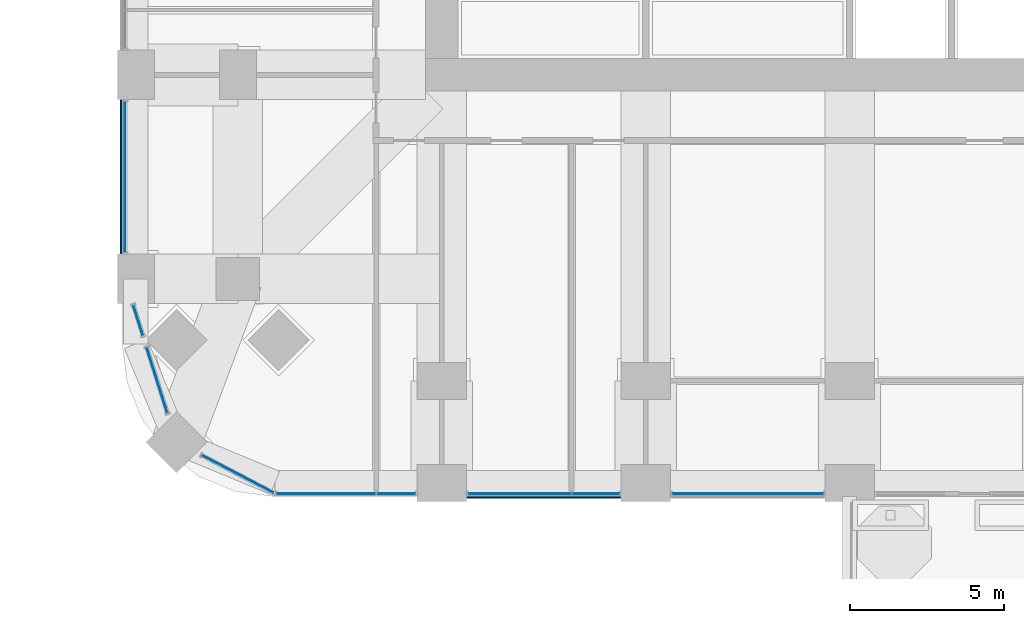
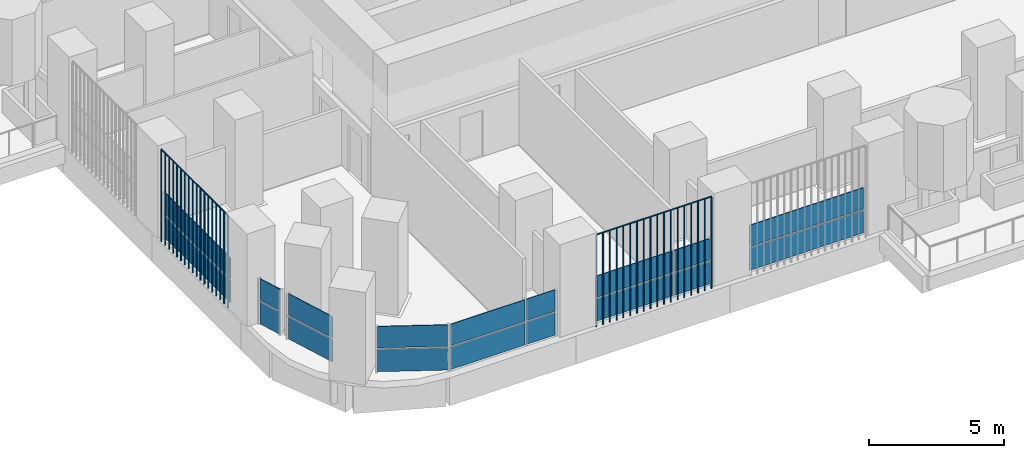
# One storey, part 9 of 22: 20 plates, 7 elements without a shape of their own.
"""IFC4 building model written with IfcOpenShell, lengths in metres."""

from ifc_helpers import new_model, si_unit, direction, frame, origin, origin_2d, place, context, subcontext, project, spatial, polyline, rectangle, outline, extrude, material, layer, layer_set, type_object, element, aggregate, save


model = new_model("IFC4")

# Units and contexts
model_context = context("Model", 3, precision=1e-05, world=origin(), true_north=direction((0.0, 1.0)))
body_context = subcontext(model_context, "Body", "Model", "MODEL_VIEW")
ifc_project = project(units=[si_unit("LENGTHUNIT", "METRE"), si_unit("AREAUNIT", "SQUARE_METRE"), si_unit("VOLUMEUNIT", "CUBIC_METRE"), si_unit("PLANEANGLEUNIT", "RADIAN"), si_unit("MASSUNIT", "GRAM", prefix="KILO")], contexts=[model_context])

# Site, building, storey
site_placement = place(None, origin())
site = spatial("IfcSite", under=ifc_project, at=site_placement, CompositionType="ELEMENT")
building_placement = place(site_placement, origin())
building = spatial("IfcBuilding", under=site, at=building_placement, Name="Cobogo Forest Laboratory Tower", CompositionType="ELEMENT")
storey_placement = place(building_placement, frame((0.0, 0.0, 145.199951171875)))
storey = spatial("IfcBuildingStorey", under=building, at=storey_placement, Name="L33", CompositionType="ELEMENT", Elevation=145.199951171875)

# Curtain wall, plates
ifc_material_1 = material(Name="Aluminium curtain wall", Category="aluminium")
curtain_wall_type = type_object("IfcCurtainWallType", Name="CW-1 unitised curtain wall, clear glazing, laboratory floors zones A and B", PredefinedType="USERDEFINED", material=ifc_material_1)
curtain_wall_1_placement = place(storey_placement, origin())
curtain_wall_1 = element("IfcCurtainWall", 1, at=curtain_wall_1_placement, inside=storey, type_object=curtain_wall_type, Name="Curtain wall 01 L33", ObjectType="UNITISED CURTAIN WALL", PredefinedType="USERDEFINED")
ifc_material_2 = material(Name="Clear insulated glass", Category="glass")
ifc_layer = layer(ifc_material_2, 0.028076171875)
ifc_layer_set = layer_set([ifc_layer], Name="GP-1 clear insulated glass unit 28")
plate_type_1 = type_object("IfcPlateType", Name="GP-1 clear insulated glass unit 28", PredefinedType="CURTAIN_PANEL", material=ifc_layer_set)
plate_1_placement = place(storey_placement, frame((9.452392578125, -0.35009765625, 0.0), z_axis=(0.0, 0.0, 1.0), x_axis=(1.0, 0.0, 0.0)))
plate_1 = element("IfcPlate", 2, at=plate_1_placement, type_object=plate_type_1, Name="CW-1 panel 1.1", PredefinedType="CURTAIN_PANEL", context=body_context, shape_type="SweptSolid", body=[
    extrude(rectangle(XDim=3.18505859375, YDim=0.028076171875, at=origin_2d()), origin(), (0.0, 0.0, 1.0), 1.02001953125),
])
plate_2_placement = place(storey_placement, frame((9.452392578125, -0.35009765625, 1.080078125), z_axis=(0.0, 0.0, 1.0), x_axis=(1.0, 0.0, 0.0)))
plate_2 = element("IfcPlate", 3, at=plate_2_placement, type_object=plate_type_1, Name="CW-1 panel 1.2", PredefinedType="CURTAIN_PANEL", context=body_context, shape_type="SweptSolid", body=[
    extrude(rectangle(XDim=3.18505859375, YDim=0.028076171875, at=origin_2d()), origin(), (0.0, 0.0, 1.0), 0.969970703125),
])
plate_3_placement = place(storey_placement, frame((11.722412109375, -0.35009765625, 0.0), z_axis=(0.0, 0.0, 1.0), x_axis=(1.0, 0.0, 0.0)))
plate_3 = element("IfcPlate", 4, at=plate_3_placement, type_object=plate_type_1, Name="CW-1 panel 2.1", PredefinedType="CURTAIN_PANEL", context=body_context, shape_type="SweptSolid", body=[
    extrude(rectangle(XDim=1.235107421875, YDim=0.028076171875, at=origin_2d()), origin(), (0.0, 0.0, 1.0), 1.02001953125),
])
plate_4_placement = place(storey_placement, frame((11.722412109375, -0.35009765625, 1.080078125), z_axis=(0.0, 0.0, 1.0), x_axis=(1.0, 0.0, 0.0)))
plate_4 = element("IfcPlate", 5, at=plate_4_placement, type_object=plate_type_1, Name="CW-1 panel 2.2", PredefinedType="CURTAIN_PANEL", context=body_context, shape_type="SweptSolid", body=[
    extrude(rectangle(XDim=1.235107421875, YDim=0.028076171875, at=origin_2d()), origin(), (0.0, 0.0, 1.0), 0.969970703125),
])
aggregate(curtain_wall_1, [plate_1, plate_2, plate_3, plate_4])

curtain_wall_2_placement = place(storey_placement, origin())
curtain_wall_2 = element("IfcCurtainWall", 6, at=curtain_wall_2_placement, inside=storey, type_object=curtain_wall_type, Name="Curtain wall 02 L33", ObjectType="UNITISED CURTAIN WALL", PredefinedType="USERDEFINED")
plate_5_placement = place(storey_placement, frame((15.715087890625, -0.35009765625, 0.0), z_axis=(0.0, 0.0, 1.0), x_axis=(1.0, 0.0, 0.0)))
plate_5 = element("IfcPlate", 7, at=plate_5_placement, type_object=plate_type_1, Name="CW-1 panel 1.1", PredefinedType="CURTAIN_PANEL", context=body_context, shape_type="SweptSolid", body=[
    extrude(rectangle(XDim=3.31005859375, YDim=0.028076171875, at=origin_2d()), origin(), (0.0, 0.0, 1.0), 1.02001953125),
])
plate_6_placement = place(storey_placement, frame((15.715087890625, -0.35009765625, 1.080078125), z_axis=(0.0, 0.0, 1.0), x_axis=(1.0, 0.0, 0.0)))
plate_6 = element("IfcPlate", 8, at=plate_6_placement, type_object=plate_type_1, Name="CW-1 panel 1.2", PredefinedType="CURTAIN_PANEL", context=body_context, shape_type="SweptSolid", body=[
    extrude(rectangle(XDim=3.31005859375, YDim=0.028076171875, at=origin_2d()), origin(), (0.0, 0.0, 1.0), 0.969970703125),
])
plate_7_placement = place(storey_placement, frame((18.18505859375, -0.35009765625, 0.0), z_axis=(0.0, 0.0, 1.0), x_axis=(1.0, 0.0, 0.0)))
plate_7 = element("IfcPlate", 9, at=plate_7_placement, type_object=plate_type_1, Name="CW-1 panel 2.1", PredefinedType="CURTAIN_PANEL", context=body_context, shape_type="SweptSolid", body=[
    extrude(rectangle(XDim=1.510009765625, YDim=0.028076171875, at=origin_2d()), origin(), (0.0, 0.0, 1.0), 1.02001953125),
])
plate_8_placement = place(storey_placement, frame((18.18505859375, -0.35009765625, 1.080078125), z_axis=(0.0, 0.0, 1.0), x_axis=(1.0, 0.0, 0.0)))
plate_8 = element("IfcPlate", 10, at=plate_8_placement, type_object=plate_type_1, Name="CW-1 panel 2.2", PredefinedType="CURTAIN_PANEL", context=body_context, shape_type="SweptSolid", body=[
    extrude(rectangle(XDim=1.510009765625, YDim=0.028076171875, at=origin_2d()), origin(), (0.0, 0.0, 1.0), 0.969970703125),
])
aggregate(curtain_wall_2, [plate_5, plate_6, plate_7, plate_8])

curtain_wall_3_placement = place(storey_placement, origin())
curtain_wall_3 = element("IfcCurtainWall", 11, at=curtain_wall_3_placement, inside=storey, type_object=curtain_wall_type, Name="Curtain wall 03 L33", ObjectType="UNITISED CURTAIN WALL", PredefinedType="USERDEFINED")
plate_9_placement = place(storey_placement, frame((23.10009765625, -0.35009765625, 0.0), z_axis=(0.0, 0.0, 1.0), x_axis=(1.0, 0.0, 0.0)))
plate_9 = element("IfcPlate", 12, at=plate_9_placement, type_object=plate_type_1, Name="CW-1 panel 1.1", PredefinedType="CURTAIN_PANEL", context=body_context, shape_type="SweptSolid", body=[
    extrude(rectangle(XDim=4.8798828125, YDim=0.028076171875, at=origin_2d()), origin(), (0.0, 0.0, 1.0), 1.02001953125),
])
plate_10_placement = place(storey_placement, frame((23.10009765625, -0.35009765625, 1.080078125), z_axis=(0.0, 0.0, 1.0), x_axis=(1.0, 0.0, 0.0)))
plate_10 = element("IfcPlate", 13, at=plate_10_placement, type_object=plate_type_1, Name="CW-1 panel 1.2", PredefinedType="CURTAIN_PANEL", context=body_context, shape_type="SweptSolid", body=[
    extrude(rectangle(XDim=4.8798828125, YDim=0.028076171875, at=origin_2d()), origin(), (0.0, 0.0, 1.0), 0.969970703125),
])
aggregate(curtain_wall_3, [plate_9, plate_10])

curtain_wall_4_placement = place(storey_placement, origin())
curtain_wall_4 = element("IfcCurtainWall", 14, at=curtain_wall_4_placement, inside=storey, type_object=curtain_wall_type, Name="Curtain wall 31 L33", ObjectType="UNITISED CURTAIN WALL", PredefinedType="USERDEFINED")
plate_11_placement = place(storey_placement, frame((2.949951171875, 9.89990234375, 0.0), z_axis=(0.0, 0.0, 1.0), x_axis=(0.0, -1.0, 0.0)))
plate_11 = element("IfcPlate", 15, at=plate_11_placement, type_object=plate_type_1, Name="CW-1 panel 1.1", PredefinedType="CURTAIN_PANEL", context=body_context, shape_type="SweptSolid", body=[
    extrude(rectangle(XDim=4.8798828125, YDim=0.028076171875, at=origin_2d()), origin(), (0.0, 0.0, 1.0), 1.02001953125),
])
plate_12_placement = place(storey_placement, frame((2.949951171875, 9.89990234375, 1.080078125), z_axis=(0.0, 0.0, 1.0), x_axis=(0.0, -1.0, 0.0)))
plate_12 = element("IfcPlate", 16, at=plate_12_placement, type_object=plate_type_1, Name="CW-1 panel 1.2", PredefinedType="CURTAIN_PANEL", context=body_context, shape_type="SweptSolid", body=[
    extrude(rectangle(XDim=4.8798828125, YDim=0.028076171875, at=origin_2d()), origin(), (0.0, 0.0, 1.0), 0.969970703125),
])
aggregate(curtain_wall_4, [plate_11, plate_12])

curtain_wall_5_placement = place(storey_placement, origin())
curtain_wall_5 = element("IfcCurtainWall", 17, at=curtain_wall_5_placement, inside=storey, type_object=curtain_wall_type, Name="Curtain wall 32 L33", ObjectType="UNITISED CURTAIN WALL", PredefinedType="USERDEFINED")
plate_13_placement = place(storey_placement, frame((3.37353515625, 5.259033203125, 0.0), z_axis=(0.0, 0.0, 1.0), x_axis=(0.3011355018, -0.953581359694, 0.0)))
plate_13 = element("IfcPlate", 18, at=plate_13_placement, type_object=plate_type_1, Name="CW-1 panel 1.1", PredefinedType="CURTAIN_PANEL", context=body_context, shape_type="SweptSolid", body=[
    extrude(rectangle(XDim=1.0146484375, YDim=0.028076171875, at=origin_2d()), origin(), (0.0, 0.0, 1.0), 1.02001953125),
])
plate_14_placement = place(storey_placement, frame((3.37353515625, 5.259033203125, 1.080078125), z_axis=(0.0, 0.0, 1.0), x_axis=(0.3011355018, -0.953581359694, 0.0)))
plate_14 = element("IfcPlate", 19, at=plate_14_placement, type_object=plate_type_1, Name="CW-1 panel 1.2", PredefinedType="CURTAIN_PANEL", context=body_context, shape_type="SweptSolid", body=[
    extrude(rectangle(XDim=1.0146484375, YDim=0.028076171875, at=origin_2d()), origin(), (0.0, 0.0, 1.0), 0.969970703125),
])
aggregate(curtain_wall_5, [plate_13, plate_14])

curtain_wall_6_placement = place(storey_placement, origin())
curtain_wall_6 = element("IfcCurtainWall", 20, at=curtain_wall_6_placement, inside=storey, type_object=curtain_wall_type, Name="Curtain wall 33 L33", ObjectType="UNITISED CURTAIN WALL", PredefinedType="USERDEFINED")
plate_15_placement = place(storey_placement, frame((3.986572265625, 3.31787109375, 0.0), z_axis=(0.0, 0.0, 1.0), x_axis=(0.301135343623, -0.953581409645, 0.0)))
plate_15 = element("IfcPlate", 21, at=plate_15_placement, type_object=plate_type_1, Name="CW-1 panel 1.1", PredefinedType="CURTAIN_PANEL", context=body_context, shape_type="SweptSolid", body=[
    extrude(rectangle(XDim=2.203369140625, YDim=0.028076171875, at=origin_2d()), origin(), (0.0, 0.0, 1.0), 1.02001953125),
])
plate_16_placement = place(storey_placement, frame((3.986572265625, 3.31787109375, 1.080078125), z_axis=(0.0, 0.0, 1.0), x_axis=(0.301135343623, -0.953581409645, 0.0)))
plate_16 = element("IfcPlate", 22, at=plate_16_placement, type_object=plate_type_1, Name="CW-1 panel 1.2", PredefinedType="CURTAIN_PANEL", context=body_context, shape_type="SweptSolid", body=[
    extrude(rectangle(XDim=2.203369140625, YDim=0.028076171875, at=origin_2d()), origin(), (0.0, 0.0, 1.0), 0.969970703125),
])
aggregate(curtain_wall_6, [plate_15, plate_16])

curtain_wall_7_placement = place(storey_placement, origin())
curtain_wall_7 = element("IfcCurtainWall", 23, at=curtain_wall_7_placement, inside=storey, type_object=curtain_wall_type, Name="Curtain wall 34 L33", ObjectType="UNITISED CURTAIN WALL", PredefinedType="USERDEFINED")
plate_17_placement = place(storey_placement, frame((6.593994140625, 0.2822265625, 0.0), z_axis=(0.0, 0.0, 1.0), x_axis=(0.885686540666, -0.464283697413, 0.0)))
plate_17 = element("IfcPlate", 24, at=plate_17_placement, type_object=plate_type_1, Name="CW-1 panel 1.1", PredefinedType="CURTAIN_PANEL", context=body_context, shape_type="SweptSolid", body=[
    extrude(rectangle(XDim=2.603271484375, YDim=0.028076171875, at=origin_2d()), origin(), (0.0, 0.0, 1.0), 1.02001953125),
])
plate_18_placement = place(storey_placement, frame((6.593994140625, 0.2822265625, 1.080078125), z_axis=(0.0, 0.0, 1.0), x_axis=(0.885686540666, -0.464283697413, 0.0)))
plate_18 = element("IfcPlate", 25, at=plate_18_placement, type_object=plate_type_1, Name="CW-1 panel 1.2", PredefinedType="CURTAIN_PANEL", context=body_context, shape_type="SweptSolid", body=[
    extrude(rectangle(XDim=2.603271484375, YDim=0.028076171875, at=origin_2d()), origin(), (0.0, 0.0, 1.0), 0.969970703125),
])
aggregate(curtain_wall_7, [plate_17, plate_18])

# Plates
ifc_material_3 = material(Name="Terracotta", Category="masonry")
plate_type_2 = type_object("IfcPlateType", Name="TB1 terracotta baguette screen", PredefinedType="USERDEFINED", material=ifc_material_3)
plate_19_placement = place(storey_placement, frame((14.03125, -0.477783203125, -0.14990234375)))
element("IfcPlate", 26, at=plate_19_placement, inside=storey, type_object=plate_type_2, Name="Baguette screen S1 L33", ObjectType="BAGUETTE SCREEN", PredefinedType="USERDEFINED", context=body_context, shape_type="SweptSolid", body=[
    extrude(outline(polyline([(0.02880859375, 0.011962890625), (0.011962890625, 0.02880859375), (-0.011962890625, 0.02880859375), (-0.02880859375, 0.011962890625), (-0.02880859375, -0.011962890625), (-0.011962890625, -0.02880859375), (0.011962890625, -0.02880859375), (0.02880859375, -0.011962890625), (0.02880859375, 0.011962890625)])), frame((0.0, 0.0, 4.168701171875), z_axis=(1.0, 0.0, 0.0), x_axis=(0.0, 1.0, 0.0)), (0.0, 0.0, 1.0), 4.9375),
    extrude(outline(polyline([(0.02880859375, 0.011962890625), (0.011962890625, 0.02880859375), (-0.011962890625, 0.02880859375), (-0.02880859375, 0.011962890625), (-0.02880859375, -0.011962890625), (-0.011962890625, -0.02880859375), (0.011962890625, -0.02880859375), (0.02880859375, -0.011962890625), (0.02880859375, 0.011962890625)])), origin(), (0.0, 0.0, 1.0), 4.137451171875),
    extrude(outline(polyline([(0.02880859375, 0.011962890625), (0.011962890625, 0.02880859375), (-0.011962890625, 0.02880859375), (-0.02880859375, 0.011962890625), (-0.02880859375, -0.011962890625), (-0.011962890625, -0.02880859375), (0.011962890625, -0.02880859375), (0.02880859375, -0.011962890625), (0.02880859375, 0.011962890625)])), frame((0.29052734375, 0.0, 0.0)), (0.0, 0.0, 1.0), 4.137451171875),
    extrude(outline(polyline([(0.02880859375, 0.011962890625), (0.011962890625, 0.02880859375), (-0.011962890625, 0.02880859375), (-0.02880859375, 0.011962890625), (-0.02880859375, -0.011962890625), (-0.011962890625, -0.02880859375), (0.011962890625, -0.02880859375), (0.02880859375, -0.011962890625), (0.02880859375, 0.011962890625)])), frame((0.580810546875, 0.0, 0.0)), (0.0, 0.0, 1.0), 4.137451171875),
    extrude(outline(polyline([(0.02880859375, 0.011962890625), (0.011962890625, 0.02880859375), (-0.011962890625, 0.02880859375), (-0.02880859375, 0.011962890625), (-0.02880859375, -0.011962890625), (-0.011962890625, -0.02880859375), (0.011962890625, -0.02880859375), (0.02880859375, -0.011962890625), (0.02880859375, 0.011962890625)])), frame((0.871337890625, 0.0, 0.0)), (0.0, 0.0, 1.0), 4.137451171875),
    extrude(outline(polyline([(0.02880859375, 0.011962890625), (0.011962890625, 0.02880859375), (-0.011962890625, 0.02880859375), (-0.02880859375, 0.011962890625), (-0.02880859375, -0.011962890625), (-0.011962890625, -0.02880859375), (0.011962890625, -0.02880859375), (0.02880859375, -0.011962890625), (0.02880859375, 0.011962890625)])), frame((1.161865234375, 0.0, 0.0)), (0.0, 0.0, 1.0), 4.137451171875),
    extrude(outline(polyline([(0.02880859375, 0.011962890625), (0.011962890625, 0.02880859375), (-0.011962890625, 0.02880859375), (-0.02880859375, 0.011962890625), (-0.02880859375, -0.011962890625), (-0.011962890625, -0.02880859375), (0.011962890625, -0.02880859375), (0.02880859375, -0.011962890625), (0.02880859375, 0.011962890625)])), frame((1.4521484375, 0.0, 0.0)), (0.0, 0.0, 1.0), 4.137451171875),
    extrude(outline(polyline([(0.02880859375, 0.011962890625), (0.011962890625, 0.02880859375), (-0.011962890625, 0.02880859375), (-0.02880859375, 0.011962890625), (-0.02880859375, -0.011962890625), (-0.011962890625, -0.02880859375), (0.011962890625, -0.02880859375), (0.02880859375, -0.011962890625), (0.02880859375, 0.011962890625)])), frame((1.74267578125, 0.0, 0.0)), (0.0, 0.0, 1.0), 4.137451171875),
    extrude(outline(polyline([(0.02880859375, 0.011962890625), (0.011962890625, 0.02880859375), (-0.011962890625, 0.02880859375), (-0.02880859375, 0.011962890625), (-0.02880859375, -0.011962890625), (-0.011962890625, -0.02880859375), (0.011962890625, -0.02880859375), (0.02880859375, -0.011962890625), (0.02880859375, 0.011962890625)])), frame((2.033203125, 0.0, 0.0)), (0.0, 0.0, 1.0), 4.137451171875),
    extrude(outline(polyline([(0.02880859375, 0.011962890625), (0.011962890625, 0.02880859375), (-0.011962890625, 0.02880859375), (-0.02880859375, 0.011962890625), (-0.02880859375, -0.011962890625), (-0.011962890625, -0.02880859375), (0.011962890625, -0.02880859375), (0.02880859375, -0.011962890625), (0.02880859375, 0.011962890625)])), frame((2.323486328125, 0.0, 0.0)), (0.0, 0.0, 1.0), 4.137451171875),
    extrude(outline(polyline([(0.02880859375, 0.011962890625), (0.011962890625, 0.02880859375), (-0.011962890625, 0.02880859375), (-0.02880859375, 0.011962890625), (-0.02880859375, -0.011962890625), (-0.011962890625, -0.02880859375), (0.011962890625, -0.02880859375), (0.02880859375, -0.011962890625), (0.02880859375, 0.011962890625)])), frame((2.614013671875, 0.0, 0.0)), (0.0, 0.0, 1.0), 4.137451171875),
    extrude(outline(polyline([(0.02880859375, 0.011962890625), (0.011962890625, 0.02880859375), (-0.011962890625, 0.02880859375), (-0.02880859375, 0.011962890625), (-0.02880859375, -0.011962890625), (-0.011962890625, -0.02880859375), (0.011962890625, -0.02880859375), (0.02880859375, -0.011962890625), (0.02880859375, 0.011962890625)])), frame((2.904296875, 0.0, 0.0)), (0.0, 0.0, 1.0), 4.137451171875),
    extrude(outline(polyline([(0.02880859375, 0.011962890625), (0.011962890625, 0.02880859375), (-0.011962890625, 0.02880859375), (-0.02880859375, 0.011962890625), (-0.02880859375, -0.011962890625), (-0.011962890625, -0.02880859375), (0.011962890625, -0.02880859375), (0.02880859375, -0.011962890625), (0.02880859375, 0.011962890625)])), frame((3.19482421875, 0.0, 0.0)), (0.0, 0.0, 1.0), 4.137451171875),
    extrude(outline(polyline([(0.02880859375, 0.011962890625), (0.011962890625, 0.02880859375), (-0.011962890625, 0.02880859375), (-0.02880859375, 0.011962890625), (-0.02880859375, -0.011962890625), (-0.011962890625, -0.02880859375), (0.011962890625, -0.02880859375), (0.02880859375, -0.011962890625), (0.02880859375, 0.011962890625)])), frame((3.4853515625, 0.0, 0.0)), (0.0, 0.0, 1.0), 4.137451171875),
    extrude(outline(polyline([(0.02880859375, 0.011962890625), (0.011962890625, 0.02880859375), (-0.011962890625, 0.02880859375), (-0.02880859375, 0.011962890625), (-0.02880859375, -0.011962890625), (-0.011962890625, -0.02880859375), (0.011962890625, -0.02880859375), (0.02880859375, -0.011962890625), (0.02880859375, 0.011962890625)])), frame((3.775634765625, 0.0, 0.0)), (0.0, 0.0, 1.0), 4.137451171875),
    extrude(outline(polyline([(0.02880859375, 0.011962890625), (0.011962890625, 0.02880859375), (-0.011962890625, 0.02880859375), (-0.02880859375, 0.011962890625), (-0.02880859375, -0.011962890625), (-0.011962890625, -0.02880859375), (0.011962890625, -0.02880859375), (0.02880859375, -0.011962890625), (0.02880859375, 0.011962890625)])), frame((4.066162109375, 0.0, 0.0)), (0.0, 0.0, 1.0), 4.137451171875),
    extrude(outline(polyline([(0.02880859375, 0.011962890625), (0.011962890625, 0.02880859375), (-0.011962890625, 0.02880859375), (-0.02880859375, 0.011962890625), (-0.02880859375, -0.011962890625), (-0.011962890625, -0.02880859375), (0.011962890625, -0.02880859375), (0.02880859375, -0.011962890625), (0.02880859375, 0.011962890625)])), frame((4.356689453125, 0.0, 0.0)), (0.0, 0.0, 1.0), 4.137451171875),
    extrude(outline(polyline([(0.02880859375, 0.011962890625), (0.011962890625, 0.02880859375), (-0.011962890625, 0.02880859375), (-0.02880859375, 0.011962890625), (-0.02880859375, -0.011962890625), (-0.011962890625, -0.02880859375), (0.011962890625, -0.02880859375), (0.02880859375, -0.011962890625), (0.02880859375, 0.011962890625)])), frame((4.64697265625, 0.0, 0.0)), (0.0, 0.0, 1.0), 4.137451171875),
    extrude(outline(polyline([(0.02880859375, 0.011962890625), (0.011962890625, 0.02880859375), (-0.011962890625, 0.02880859375), (-0.02880859375, 0.011962890625), (-0.02880859375, -0.011962890625), (-0.011962890625, -0.02880859375), (0.011962890625, -0.02880859375), (0.02880859375, -0.011962890625), (0.02880859375, 0.011962890625)])), frame((4.9375, 0.0, 0.0)), (0.0, 0.0, 1.0), 4.137451171875),
])
plate_20_placement = place(storey_placement, frame((2.822021484375, 7.43115234375, -0.14990234375)))
element("IfcPlate", 27, at=plate_20_placement, inside=storey, type_object=plate_type_2, Name="Baguette screen W1 L33", ObjectType="BAGUETTE SCREEN", PredefinedType="USERDEFINED", context=body_context, shape_type="SweptSolid", body=[
    extrude(outline(polyline([(0.02880859375, 0.011962890625), (0.011962890625, 0.02880859375), (-0.011962890625, 0.02880859375), (-0.02880859375, 0.011962890625), (-0.02880859375, -0.011962890625), (-0.011962890625, -0.02880859375), (0.011962890625, -0.02880859375), (0.02880859375, -0.011962890625), (0.02880859375, 0.011962890625)])), frame((0.0, 0.0, 4.168701171875), z_axis=(0.0, 1.0, 0.0), x_axis=(-1.0, 0.0, 0.0)), (0.0, 0.0, 1.0), 4.9375),
    extrude(outline(polyline([(0.02880859375, 0.011962890625), (0.011962890625, 0.02880859375), (-0.011962890625, 0.02880859375), (-0.02880859375, 0.011962890625), (-0.02880859375, -0.011962890625), (-0.011962890625, -0.02880859375), (0.011962890625, -0.02880859375), (0.02880859375, -0.011962890625), (0.02880859375, 0.011962890625)])), origin(), (0.0, 0.0, 1.0), 4.137451171875),
    extrude(outline(polyline([(0.02880859375, 0.011962890625), (0.011962890625, 0.02880859375), (-0.011962890625, 0.02880859375), (-0.02880859375, 0.011962890625), (-0.02880859375, -0.011962890625), (-0.011962890625, -0.02880859375), (0.011962890625, -0.02880859375), (0.02880859375, -0.011962890625), (0.02880859375, 0.011962890625)])), frame((0.0, 0.29052734375, 0.0)), (0.0, 0.0, 1.0), 4.137451171875),
    extrude(outline(polyline([(0.02880859375, 0.011962890625), (0.011962890625, 0.02880859375), (-0.011962890625, 0.02880859375), (-0.02880859375, 0.011962890625), (-0.02880859375, -0.011962890625), (-0.011962890625, -0.02880859375), (0.011962890625, -0.02880859375), (0.02880859375, -0.011962890625), (0.02880859375, 0.011962890625)])), frame((0.0, 0.580810546875, 0.0)), (0.0, 0.0, 1.0), 4.137451171875),
    extrude(outline(polyline([(0.02880859375, 0.011962890625), (0.011962890625, 0.02880859375), (-0.011962890625, 0.02880859375), (-0.02880859375, 0.011962890625), (-0.02880859375, -0.011962890625), (-0.011962890625, -0.02880859375), (0.011962890625, -0.02880859375), (0.02880859375, -0.011962890625), (0.02880859375, 0.011962890625)])), frame((0.0, 0.871337890625, 0.0)), (0.0, 0.0, 1.0), 4.137451171875),
    extrude(outline(polyline([(0.02880859375, 0.011962890625), (0.011962890625, 0.02880859375), (-0.011962890625, 0.02880859375), (-0.02880859375, 0.011962890625), (-0.02880859375, -0.011962890625), (-0.011962890625, -0.02880859375), (0.011962890625, -0.02880859375), (0.02880859375, -0.011962890625), (0.02880859375, 0.011962890625)])), frame((0.0, 1.161865234375, 0.0)), (0.0, 0.0, 1.0), 4.137451171875),
    extrude(outline(polyline([(0.02880859375, 0.011962890625), (0.011962890625, 0.02880859375), (-0.011962890625, 0.02880859375), (-0.02880859375, 0.011962890625), (-0.02880859375, -0.011962890625), (-0.011962890625, -0.02880859375), (0.011962890625, -0.02880859375), (0.02880859375, -0.011962890625), (0.02880859375, 0.011962890625)])), frame((0.0, 1.4521484375, 0.0)), (0.0, 0.0, 1.0), 4.137451171875),
    extrude(outline(polyline([(0.02880859375, 0.011962890625), (0.011962890625, 0.02880859375), (-0.011962890625, 0.02880859375), (-0.02880859375, 0.011962890625), (-0.02880859375, -0.011962890625), (-0.011962890625, -0.02880859375), (0.011962890625, -0.02880859375), (0.02880859375, -0.011962890625), (0.02880859375, 0.011962890625)])), frame((0.0, 1.74267578125, 0.0)), (0.0, 0.0, 1.0), 4.137451171875),
    extrude(outline(polyline([(0.02880859375, 0.011962890625), (0.011962890625, 0.02880859375), (-0.011962890625, 0.02880859375), (-0.02880859375, 0.011962890625), (-0.02880859375, -0.011962890625), (-0.011962890625, -0.02880859375), (0.011962890625, -0.02880859375), (0.02880859375, -0.011962890625), (0.02880859375, 0.011962890625)])), frame((0.0, 2.033203125, 0.0)), (0.0, 0.0, 1.0), 4.137451171875),
    extrude(outline(polyline([(0.02880859375, 0.011962890625), (0.011962890625, 0.02880859375), (-0.011962890625, 0.02880859375), (-0.02880859375, 0.011962890625), (-0.02880859375, -0.011962890625), (-0.011962890625, -0.02880859375), (0.011962890625, -0.02880859375), (0.02880859375, -0.011962890625), (0.02880859375, 0.011962890625)])), frame((0.0, 2.323486328125, 0.0)), (0.0, 0.0, 1.0), 4.137451171875),
    extrude(outline(polyline([(0.02880859375, 0.011962890625), (0.011962890625, 0.02880859375), (-0.011962890625, 0.02880859375), (-0.02880859375, 0.011962890625), (-0.02880859375, -0.011962890625), (-0.011962890625, -0.02880859375), (0.011962890625, -0.02880859375), (0.02880859375, -0.011962890625), (0.02880859375, 0.011962890625)])), frame((0.0, 2.614013671875, 0.0)), (0.0, 0.0, 1.0), 4.137451171875),
    extrude(outline(polyline([(0.02880859375, 0.011962890625), (0.011962890625, 0.02880859375), (-0.011962890625, 0.02880859375), (-0.02880859375, 0.011962890625), (-0.02880859375, -0.011962890625), (-0.011962890625, -0.02880859375), (0.011962890625, -0.02880859375), (0.02880859375, -0.011962890625), (0.02880859375, 0.011962890625)])), frame((0.0, 2.904296875, 0.0)), (0.0, 0.0, 1.0), 4.137451171875),
    extrude(outline(polyline([(0.02880859375, 0.011962890625), (0.011962890625, 0.02880859375), (-0.011962890625, 0.02880859375), (-0.02880859375, 0.011962890625), (-0.02880859375, -0.011962890625), (-0.011962890625, -0.02880859375), (0.011962890625, -0.02880859375), (0.02880859375, -0.011962890625), (0.02880859375, 0.011962890625)])), frame((0.0, 3.19482421875, 0.0)), (0.0, 0.0, 1.0), 4.137451171875),
    extrude(outline(polyline([(0.02880859375, 0.011962890625), (0.011962890625, 0.02880859375), (-0.011962890625, 0.02880859375), (-0.02880859375, 0.011962890625), (-0.02880859375, -0.011962890625), (-0.011962890625, -0.02880859375), (0.011962890625, -0.02880859375), (0.02880859375, -0.011962890625), (0.02880859375, 0.011962890625)])), frame((0.0, 3.4853515625, 0.0)), (0.0, 0.0, 1.0), 4.137451171875),
    extrude(outline(polyline([(0.02880859375, 0.011962890625), (0.011962890625, 0.02880859375), (-0.011962890625, 0.02880859375), (-0.02880859375, 0.011962890625), (-0.02880859375, -0.011962890625), (-0.011962890625, -0.02880859375), (0.011962890625, -0.02880859375), (0.02880859375, -0.011962890625), (0.02880859375, 0.011962890625)])), frame((0.0, 3.775634765625, 0.0)), (0.0, 0.0, 1.0), 4.137451171875),
    extrude(outline(polyline([(0.02880859375, 0.011962890625), (0.011962890625, 0.02880859375), (-0.011962890625, 0.02880859375), (-0.02880859375, 0.011962890625), (-0.02880859375, -0.011962890625), (-0.011962890625, -0.02880859375), (0.011962890625, -0.02880859375), (0.02880859375, -0.011962890625), (0.02880859375, 0.011962890625)])), frame((0.0, 4.066162109375, 0.0)), (0.0, 0.0, 1.0), 4.137451171875),
    extrude(outline(polyline([(0.02880859375, 0.011962890625), (0.011962890625, 0.02880859375), (-0.011962890625, 0.02880859375), (-0.02880859375, 0.011962890625), (-0.02880859375, -0.011962890625), (-0.011962890625, -0.02880859375), (0.011962890625, -0.02880859375), (0.02880859375, -0.011962890625), (0.02880859375, 0.011962890625)])), frame((0.0, 4.356689453125, 0.0)), (0.0, 0.0, 1.0), 4.137451171875),
    extrude(outline(polyline([(0.02880859375, 0.011962890625), (0.011962890625, 0.02880859375), (-0.011962890625, 0.02880859375), (-0.02880859375, 0.011962890625), (-0.02880859375, -0.011962890625), (-0.011962890625, -0.02880859375), (0.011962890625, -0.02880859375), (0.02880859375, -0.011962890625), (0.02880859375, 0.011962890625)])), frame((0.0, 4.64697265625, 0.0)), (0.0, 0.0, 1.0), 4.137451171875),
    extrude(outline(polyline([(0.02880859375, 0.011962890625), (0.011962890625, 0.02880859375), (-0.011962890625, 0.02880859375), (-0.02880859375, 0.011962890625), (-0.02880859375, -0.011962890625), (-0.011962890625, -0.02880859375), (0.011962890625, -0.02880859375), (0.02880859375, -0.011962890625), (0.02880859375, 0.011962890625)])), frame((0.0, 4.9375, 0.0)), (0.0, 0.0, 1.0), 4.137451171875),
])

save(model, "model.ifc")
